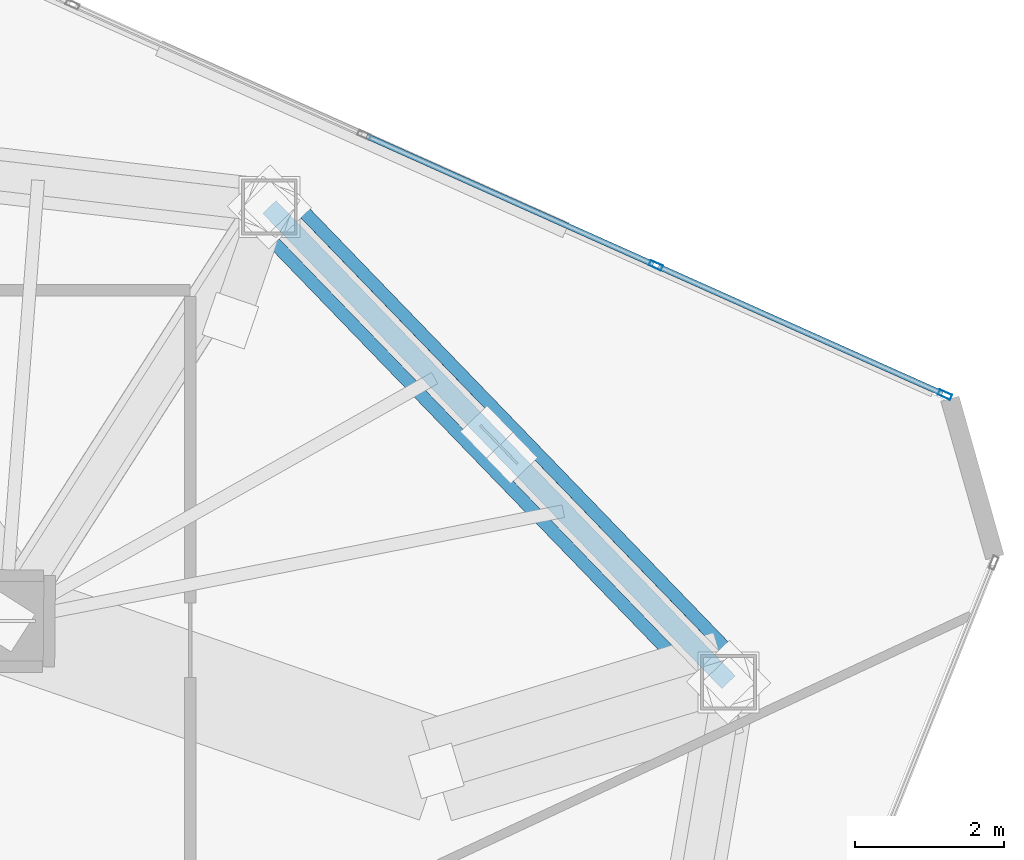
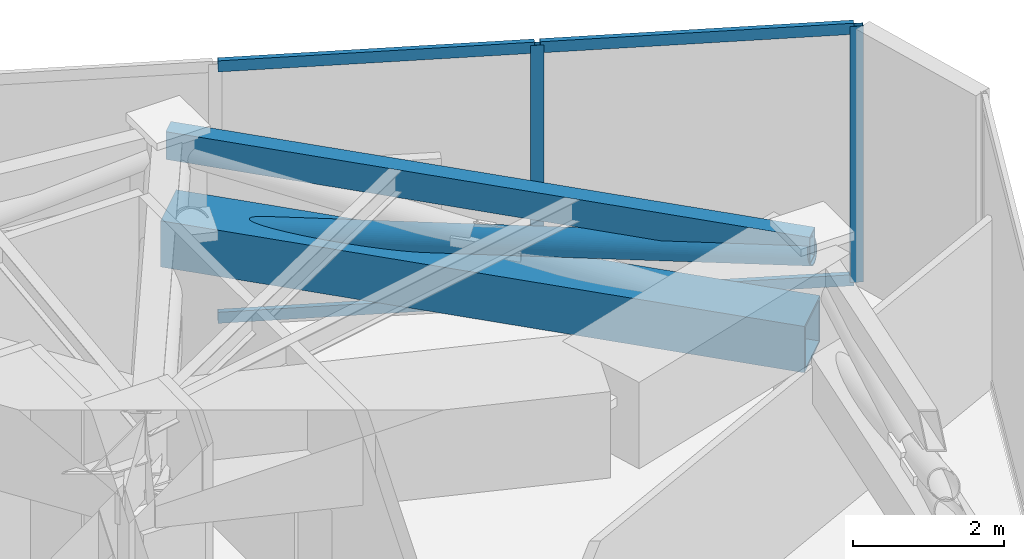
# One storey, part 15 of 21: 8 members, 1 beam, 1 element without a shape of its own.
"""IFC4 building model written with IfcOpenShell, lengths in metres."""

from ifc_helpers import new_model, si_unit, direction, frame, origin, origin_2d, place, context, subcontext, project, spatial, hollow_rectangle, hollow_circle, extrude, source, transform, mapped, material, layer, layer_set, material_profile, profile_set, type_object, type_shapes, element, aggregate, save


model = new_model("IFC4")

# Units and contexts
model_context = context("Model", 3, precision=1e-05, world=origin(), true_north=direction((0.0, 1.0)))
body_context = subcontext(model_context, "Body", "Model", "MODEL_VIEW")
ifc_project = project(units=[si_unit("LENGTHUNIT", "METRE"), si_unit("AREAUNIT", "SQUARE_METRE"), si_unit("VOLUMEUNIT", "CUBIC_METRE"), si_unit("PLANEANGLEUNIT", "RADIAN"), si_unit("MASSUNIT", "GRAM", prefix="KILO")], contexts=[model_context])

# Site, building, storey
site_placement = place(None, origin())
site = spatial("IfcSite", under=ifc_project, at=site_placement, CompositionType="ELEMENT")
building_placement = place(site_placement, origin())
building = spatial("IfcBuilding", under=site, at=building_placement, Name="Talar Marvaseh", CompositionType="ELEMENT")
storey_placement = place(building_placement, frame((0.0, 0.0, 162.39990234375)))
storey = spatial("IfcBuildingStorey", under=building, at=storey_placement, Name="L42", CompositionType="ELEMENT", Elevation=162.39990234375)

# Beam
ifc_material_1 = material(Name="Steel S355", Category="steel")
ifc_material_profile_1 = material_profile(ifc_material_1, hollow_rectangle(XDim=0.25, YDim=0.449951171875, WallThickness=0.01611328125, at=origin_2d()), Name="RHS450x250x16")
ifc_profile_set_1 = profile_set([ifc_material_profile_1], Name="Steel S355")
beam_type = type_object("IfcBeamType", Name="Zone 2 Perimeter Spandrel Beam RHS450x250x16", PredefinedType="SPANDREL", material=ifc_profile_set_1)
beam_placement = place(storey_placement, frame((36.865966796875, 42.470947265625, 3.925048828125), z_axis=(0.694796856243, -0.719206040405, 0.0), x_axis=(0.719206040405, 0.694796856243, 0.0)))
element("IfcBeam", 1, at=beam_placement, inside=storey, type_object=beam_type, Name="L42 Zone 2 Perimeter Spandrel Beam RHS450x250x16", PredefinedType="SPANDREL", context=body_context, shape_type="SweptSolid", body=[
    extrude(hollow_rectangle(XDim=0.25, YDim=0.449951171875, WallThickness=0.01611328125, at=origin_2d()), origin(), (0.0, 0.0, 1.0), 8.891845703125),
])

# Members
ifc_material_2 = material(Name="Steel S460", Category="steel")
ifc_material_profile_2 = material_profile(ifc_material_2, hollow_rectangle(XDim=0.75, YDim=0.75, WallThickness=0.0400390625, at=origin_2d()), Name="BOX750x750x40")
ifc_profile_set_2 = profile_set([ifc_material_profile_2], Name="Steel S460")
member_type_1 = type_object("IfcMemberType", Name="Belt Truss Chord Member BOX750x750x40", PredefinedType="CHORD", material=ifc_profile_set_2)
shared_shape_1 = source(origin(), body_context, "Body", "SweptSolid", [
    extrude(hollow_rectangle(XDim=0.75, YDim=0.75, WallThickness=0.0400390625, at=origin_2d()), origin(), (0.0, 0.0, 1.0), 8.891845703125),
])
type_shapes(member_type_1, [shared_shape_1])
member_1_placement = place(storey_placement, frame((36.865966796875, 42.470947265625, 2.5), z_axis=(0.694796856243, -0.719206040405, 0.0), x_axis=(0.719206040405, 0.694796856243, 0.0)))
element("IfcMember", 2, at=member_1_placement, inside=storey, type_object=member_type_1, Name="L42 Belt Truss Bottom Chord 1", PredefinedType="CHORD", context=body_context, shape_type="MappedRepresentation", body=[
    mapped(shared_shape_1, transform((0.0, 0.0, 0.0), x_axis=(1.0, 0.0, 0.0), y_axis=(0.0, 1.0, 0.0), z_axis=(0.0, 0.0, 1.0), scale=1.0)),
])
ifc_material_profile_3 = material_profile(ifc_material_2, hollow_circle(Radius=0.203125, WallThickness=0.01611328125, at=origin_2d()), Name="CHS406x16")
ifc_profile_set_3 = profile_set([ifc_material_profile_3], Name="Steel S460")
member_type_2 = type_object("IfcMemberType", Name="Belt Truss Diagonal Brace CHS406x16", PredefinedType="BRACE", material=ifc_profile_set_3)
shared_shape_2 = source(origin(), body_context, "Body", "SweptSolid", [
    extrude(hollow_circle(Radius=0.203125, WallThickness=0.01611328125, at=origin_2d()), origin(), (0.0, 0.0, 1.0), 8.99365234375),
])
type_shapes(member_type_2, [shared_shape_2])
member_2_placement = place(storey_placement, frame((36.865966796875, 42.470947265625, 2.5), z_axis=(0.686923678955, -0.711056267399, 0.150116101348), x_axis=(0.719206040405, 0.694796856243, 0.0)))
element("IfcMember", 3, at=member_2_placement, inside=storey, type_object=member_type_2, Name="L42 Belt Truss Continuous Diagonal 1", PredefinedType="BRACE", context=body_context, shape_type="MappedRepresentation", body=[
    mapped(shared_shape_2, transform((0.0, 0.0, 0.0), x_axis=(1.0, 0.0, 0.0), y_axis=(0.0, 1.0, 0.0), z_axis=(0.0, 0.0, 1.0), scale=1.0)),
])

# Curtain wall, members
ifc_material_3 = material(Name="Architectural Aluminium", Category="aluminium")
ifc_layer = layer(ifc_material_3, 0.199951171875)
ifc_layer_set = layer_set([ifc_layer], Name="Architectural Aluminium")
curtain_wall_type = type_object("IfcCurtainWallType", Name="Unitised Acoustic Library Curtain Wall Z2", PredefinedType="NOTDEFINED", material=ifc_layer_set)
curtain_wall_placement = place(storey_placement, origin())
curtain_wall = element("IfcCurtainWall", 4, at=curtain_wall_placement, inside=storey, type_object=curtain_wall_type, Name="L42 Unitised Acoustic Library Curtain Wall Z2", PredefinedType="NOTDEFINED")
ifc_material_profile_4 = material_profile(ifc_material_3, hollow_rectangle(XDim=0.074951171875, YDim=0.179931640625, WallThickness=0.0048828125, at=origin_2d()), Name="RHS180x75x5")
ifc_profile_set_4 = profile_set([ifc_material_profile_4], Name="Architectural Aluminium")
member_type_3 = type_object("IfcMemberType", Name="Unitised Curtain Wall Transom RHS180x75x5", PredefinedType="USERDEFINED", material=ifc_profile_set_4)
shared_shape_3 = source(origin(), body_context, "Body", "SweptSolid", [
    extrude(hollow_rectangle(XDim=0.074951171875, YDim=0.179931640625, WallThickness=0.0048828125, at=origin_2d()), origin(), (0.0, 0.0, 1.0), 4.222900390625),
])
member_3_placement = place(storey_placement, frame((38.176513671875, 43.423828125, 0.03759765625), z_axis=(0.912860213717, -0.408272250112, 0.0), x_axis=(0.408272250112, 0.912860213717, 0.0)))
member_3 = element("IfcMember", 5, at=member_3_placement, type_object=member_type_3, Name="CW-Z2 transom 3.1", ObjectType="TRANSOM", PredefinedType="USERDEFINED", context=body_context, shape_type="MappedRepresentation", body=[
    mapped(shared_shape_3, transform((0.0, 0.0, 0.0), x_axis=(1.0, 0.0, 0.0), y_axis=(0.0, 1.0, 0.0), z_axis=(0.0, 0.0, 1.0), scale=1.0)),
])
member_4_placement = place(storey_placement, frame((38.176513671875, 43.423828125, 4.112548828125), z_axis=(0.912860213717, -0.408272250112, 0.0), x_axis=(0.408272250112, 0.912860213717, 0.0)))
member_4 = element("IfcMember", 6, at=member_4_placement, type_object=member_type_3, Name="CW-Z2 transom 3.2", ObjectType="TRANSOM", PredefinedType="USERDEFINED", context=body_context, shape_type="MappedRepresentation", body=[
    mapped(shared_shape_3, transform((0.0, 0.0, 0.0), x_axis=(1.0, 0.0, 0.0), y_axis=(0.0, 1.0, 0.0), z_axis=(0.0, 0.0, 1.0), scale=1.0)),
])
shared_shape_4 = source(origin(), body_context, "Body", "SweptSolid", [
    extrude(hollow_rectangle(XDim=0.074951171875, YDim=0.179931640625, WallThickness=0.0048828125, at=origin_2d()), origin(), (0.0, 0.0, 1.0), 4.185546875),
])
type_shapes(member_type_3, [shared_shape_3, shared_shape_4])
member_5_placement = place(storey_placement, frame((42.099853515625, 41.669189453125, 0.03759765625), z_axis=(0.912846858738, -0.40830210934, 0.0), x_axis=(0.40830210934, 0.912846858738, 0.0)))
member_5 = element("IfcMember", 7, at=member_5_placement, type_object=member_type_3, Name="CW-Z2 transom 4.1", ObjectType="TRANSOM", PredefinedType="USERDEFINED", context=body_context, shape_type="MappedRepresentation", body=[
    mapped(shared_shape_4, transform((0.0, 0.0, 0.0), x_axis=(1.0, 0.0, 0.0), y_axis=(0.0, 1.0, 0.0), z_axis=(0.0, 0.0, 1.0), scale=1.0)),
])
member_6_placement = place(storey_placement, frame((42.099853515625, 41.669189453125, 4.112548828125), z_axis=(0.912846858738, -0.40830210934, 0.0), x_axis=(0.40830210934, 0.912846858738, 0.0)))
member_6 = element("IfcMember", 8, at=member_6_placement, type_object=member_type_3, Name="CW-Z2 transom 4.2", ObjectType="TRANSOM", PredefinedType="USERDEFINED", context=body_context, shape_type="MappedRepresentation", body=[
    mapped(shared_shape_4, transform((0.0, 0.0, 0.0), x_axis=(1.0, 0.0, 0.0), y_axis=(0.0, 1.0, 0.0), z_axis=(0.0, 0.0, 1.0), scale=1.0)),
])
ifc_material_profile_5 = material_profile(ifc_material_3, hollow_rectangle(XDim=0.074951171875, YDim=0.179931640625, WallThickness=0.0048828125, at=origin_2d()), Name="RHS180x75x5")
ifc_profile_set_5 = profile_set([ifc_material_profile_5], Name="Architectural Aluminium")
member_type_4 = type_object("IfcMemberType", Name="Unitised Curtain Wall Standard Mullion RHS180x75x5", PredefinedType="MULLION", material=ifc_profile_set_5)
shared_shape_5 = source(origin(), body_context, "Body", "SweptSolid", [
    extrude(hollow_rectangle(XDim=0.074951171875, YDim=0.179931640625, WallThickness=0.0048828125, at=origin_2d()), origin(), (0.0, 0.0, 1.0), 4.150146484375),
])
type_shapes(member_type_4, [shared_shape_5])
member_7_placement = place(storey_placement, frame((42.065673828125, 41.684326171875, 0.0), z_axis=(0.0, 0.0, 1.0), x_axis=(0.408270270087, 0.912861099271, 0.0)))
member_7 = element("IfcMember", 9, at=member_7_placement, type_object=member_type_4, Name="CW-Z2 mullion 4", PredefinedType="MULLION", context=body_context, shape_type="MappedRepresentation", body=[
    mapped(shared_shape_5, transform((0.0, 0.0, 0.0), x_axis=(1.0, 0.0, 0.0), y_axis=(0.0, 1.0, 0.0), z_axis=(0.0, 0.0, 1.0), scale=1.0)),
])
member_8_placement = place(storey_placement, frame((45.954833984375, 39.945068359375, 0.0), z_axis=(0.0, 0.0, 1.0), x_axis=(0.408270270087, 0.912861099271, 0.0)))
member_8 = element("IfcMember", 10, at=member_8_placement, type_object=member_type_4, Name="CW-Z2 mullion 5", PredefinedType="MULLION", context=body_context, shape_type="MappedRepresentation", body=[
    mapped(shared_shape_5, transform((0.0, 0.0, 0.0), x_axis=(1.0, 0.0, 0.0), y_axis=(0.0, 1.0, 0.0), z_axis=(0.0, 0.0, 1.0), scale=1.0)),
])
aggregate(curtain_wall, [member_7, member_8, member_3, member_4, member_5, member_6])

save(model, "model.ifc")
